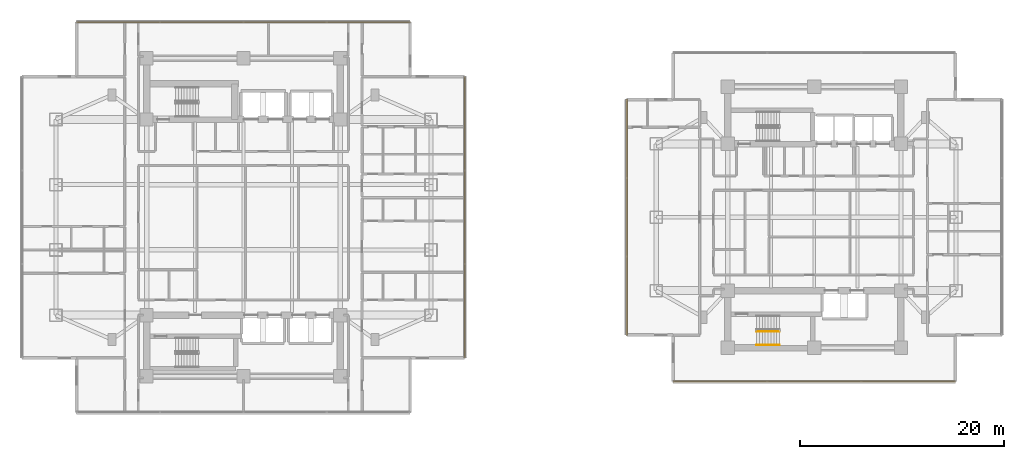
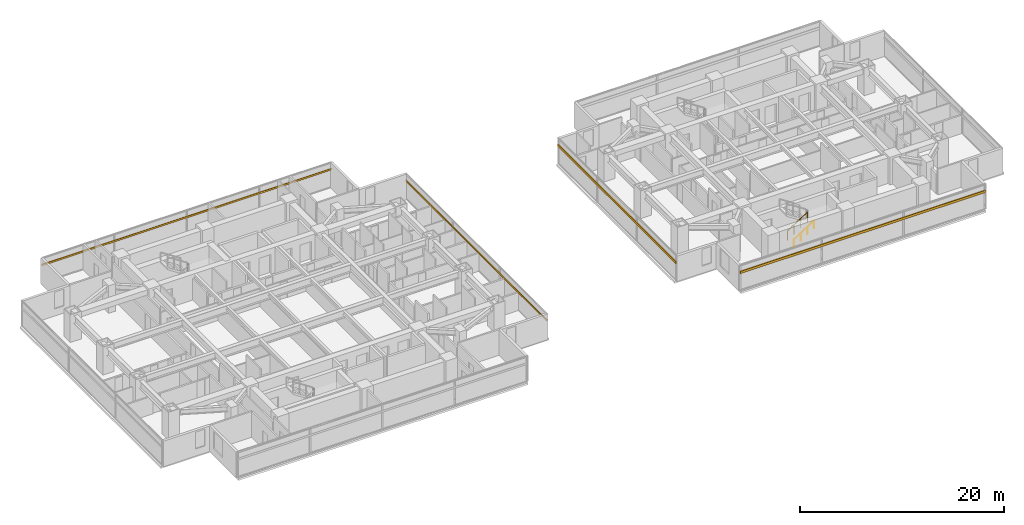
# One storey, part 22 of 24: 4 shading devices, 2 railings.
"""IFC4 building model written with IfcOpenShell, lengths in metres."""

from ifc_helpers import new_model, si_unit, direction, frame, origin, origin_2d, place, context, subcontext, project, spatial, rectangle, circle, extrude, material, material_profile, profile_set, type_object, element, save


model = new_model("IFC4")

# Units and contexts
model_context = context("Model", 3, precision=1e-05, world=origin(), true_north=direction((0.0, 1.0)))
body_context = subcontext(model_context, "Body", "Model", "MODEL_VIEW")
ifc_project = project(units=[si_unit("LENGTHUNIT", "METRE"), si_unit("AREAUNIT", "SQUARE_METRE"), si_unit("VOLUMEUNIT", "CUBIC_METRE"), si_unit("PLANEANGLEUNIT", "RADIAN"), si_unit("MASSUNIT", "GRAM", prefix="KILO")], contexts=[model_context])

# Site, building, storey
site_placement = place(None, origin())
site = spatial("IfcSite", under=ifc_project, at=site_placement, CompositionType="ELEMENT")
building_placement = place(site_placement, origin())
building = spatial("IfcBuilding", under=site, at=building_placement, Name="Mirazonda Arch Towers", CompositionType="ELEMENT")
storey_placement = place(building_placement, frame((0.0, 0.0, 65.300048828125)))
storey = spatial("IfcBuildingStorey", under=building, at=storey_placement, Name="L18", CompositionType="ELEMENT", Elevation=65.300048828125)

# Shading devices
ifc_material_1 = material(Name="Kiln-Fired Architectural Terracotta", Category="masonry")
ifc_material_profile_1 = material_profile(ifc_material_1, rectangle(XDim=0.10009765625, YDim=0.199951171875, at=origin_2d()), Name="TERRA-BAG-100x200")
ifc_profile_set_1 = profile_set([ifc_material_profile_1], Name="Kiln-Fired Architectural Terracotta")
shading_device_type_1 = type_object("IfcShadingDeviceType", Name="BAGUETTE-2", PredefinedType="USERDEFINED", material=ifc_profile_set_1)
shading_device_1_placement = place(storey_placement, frame((42.199951171875, 14.2080078125, 2.188720703125), z_axis=(0.0, 1.0, 0.0), x_axis=(-1.0, 0.0, 0.0)))
element("IfcShadingDevice", 1, at=shading_device_1_placement, inside=storey, type_object=shading_device_type_1, Name="L18 Glazed Terracotta Sun-Screen Baguette CW-L18-T1-E", ObjectType="BAGUETTE", PredefinedType="USERDEFINED", context=body_context, shape_type="SweptSolid", body=[
    extrude(rectangle(XDim=0.10009765625, YDim=0.199951171875, at=origin_2d()), origin(), (0.0, 0.0, 1.0), 27.583984375),
])
shading_device_2_placement = place(storey_placement, frame((4.139892578125, 47.132080078125, 2.188720703125), z_axis=(1.0, 0.0, 0.0), x_axis=(0.0, 1.0, 0.0)))
element("IfcShadingDevice", 2, at=shading_device_2_placement, inside=storey, type_object=shading_device_type_1, Name="L18 Glazed Terracotta Sun-Screen Baguette CW-L18-T1-N", ObjectType="BAGUETTE", PredefinedType="USERDEFINED", context=body_context, shape_type="SweptSolid", body=[
    extrude(rectangle(XDim=0.10009765625, YDim=0.199951171875, at=origin_2d()), origin(), (0.0, 0.0, 1.0), 32.72021484375),
])
ifc_material_profile_2 = material_profile(ifc_material_1, rectangle(XDim=0.139892578125, YDim=0.280029296875, at=origin_2d()), Name="TERRA-BAG-140x280")
ifc_profile_set_2 = profile_set([ifc_material_profile_2], Name="Kiln-Fired Architectural Terracotta")
shading_device_type_2 = type_object("IfcShadingDeviceType", Name="BAGUETTE-3", PredefinedType="USERDEFINED", material=ifc_profile_set_2)
shading_device_3_placement = place(storey_placement, frame((90.345947265625, 11.890869140625, 2.188720703125), z_axis=(-1.0, 0.0, 0.0), x_axis=(0.0, -1.0, 0.0)))
element("IfcShadingDevice", 3, at=shading_device_3_placement, inside=storey, type_object=shading_device_type_2, Name="L18 Glazed Terracotta Sun-Screen Baguette CW-L18-T2-S", ObjectType="BAGUETTE", PredefinedType="USERDEFINED", context=body_context, shape_type="SweptSolid", body=[
    extrude(rectangle(XDim=0.139892578125, YDim=0.280029296875, at=origin_2d()), origin(), (0.0, 0.0, 1.0), 27.69189453125),
])
shading_device_4_placement = place(storey_placement, frame((58.10791015625, 39.563232421875, 2.188720703125), z_axis=(0.0, -1.0, 0.0), x_axis=(1.0, 0.0, 0.0)))
element("IfcShadingDevice", 4, at=shading_device_4_placement, inside=storey, type_object=shading_device_type_2, Name="L18 Glazed Terracotta Sun-Screen Baguette CW-L18-T2-W", ObjectType="BAGUETTE", PredefinedType="USERDEFINED", context=body_context, shape_type="SweptSolid", body=[
    extrude(rectangle(XDim=0.139892578125, YDim=0.280029296875, at=origin_2d()), origin(), (0.0, 0.0, 1.0), 23.12646484375),
])

# Railings
ifc_material_2 = material(Name="Architectural Brushed Steel S355", Category="steel")
railing_type_1 = type_object("IfcRailingType", Name="GUARD-STAIR-1120", PredefinedType="GUARDRAIL", material=ifc_material_2)
railing_1_placement = place(storey_placement, frame((70.85009765625, 16.77001953125, 0.183349609375)))
element("IfcRailing", 5, at=railing_1_placement, inside=storey, type_object=railing_type_1, Name="L18 ST-T2S stair guard 1", PredefinedType="GUARDRAIL", context=body_context, shape_type="SweptSolid", body=[
    extrude(circle(Radius=0.02392578125, at=origin_2d()), frame((0.0, 0.0, 1.1259765625), z_axis=(0.836636935527, 0.0, 0.547757827979), x_axis=(0.0, 1.0, 0.0)), (0.0, 0.0, 1.0), 2.677490234375),
    extrude(circle(Radius=0.02099609375, at=origin_2d()), origin(), (0.0, 0.0, 1.0), 1.101806640625),
    extrude(circle(Radius=0.02099609375, at=origin_2d()), frame((0.74658203125, 0.0, 0.48876953125)), (0.0, 0.0, 1.0), 1.101806640625),
    extrude(circle(Radius=0.02099609375, at=origin_2d()), frame((1.493408203125, 0.0, 0.977783203125)), (0.0, 0.0, 1.0), 1.101806640625),
    extrude(circle(Radius=0.02099609375, at=origin_2d()), frame((2.239990234375, 0.0, 1.466552734375)), (0.0, 0.0, 1.0), 1.101806640625),
])
railing_type_2 = type_object("IfcRailingType", Name="HANDRAIL-915", PredefinedType="HANDRAIL", material=ifc_material_2)
railing_2_placement = place(storey_placement, frame((70.85009765625, 15.469970703125, 0.183349609375)))
element("IfcRailing", 6, at=railing_2_placement, inside=storey, type_object=railing_type_2, Name="L18 ST-T2S stair handrail 1", PredefinedType="HANDRAIL", context=body_context, shape_type="SweptSolid", body=[
    extrude(circle(Radius=0.02392578125, at=origin_2d()), frame((0.0, 0.0, 0.8759765625), z_axis=(0.836636935527, 0.0, 0.547757827979), x_axis=(0.0, 1.0, 0.0)), (0.0, 0.0, 1.0), 2.677490234375),
    extrude(circle(Radius=0.02099609375, at=origin_2d()), origin(), (0.0, 0.0, 1.0), 0.851806640625),
    extrude(circle(Radius=0.02099609375, at=origin_2d()), frame((0.74658203125, 0.0, 0.48876953125)), (0.0, 0.0, 1.0), 0.851806640625),
    extrude(circle(Radius=0.02099609375, at=origin_2d()), frame((1.493408203125, 0.0, 0.977783203125)), (0.0, 0.0, 1.0), 0.851806640625),
    extrude(circle(Radius=0.02099609375, at=origin_2d()), frame((2.239990234375, 0.0, 1.466552734375)), (0.0, 0.0, 1.0), 0.851806640625),
])

save(model, "model.ifc")
